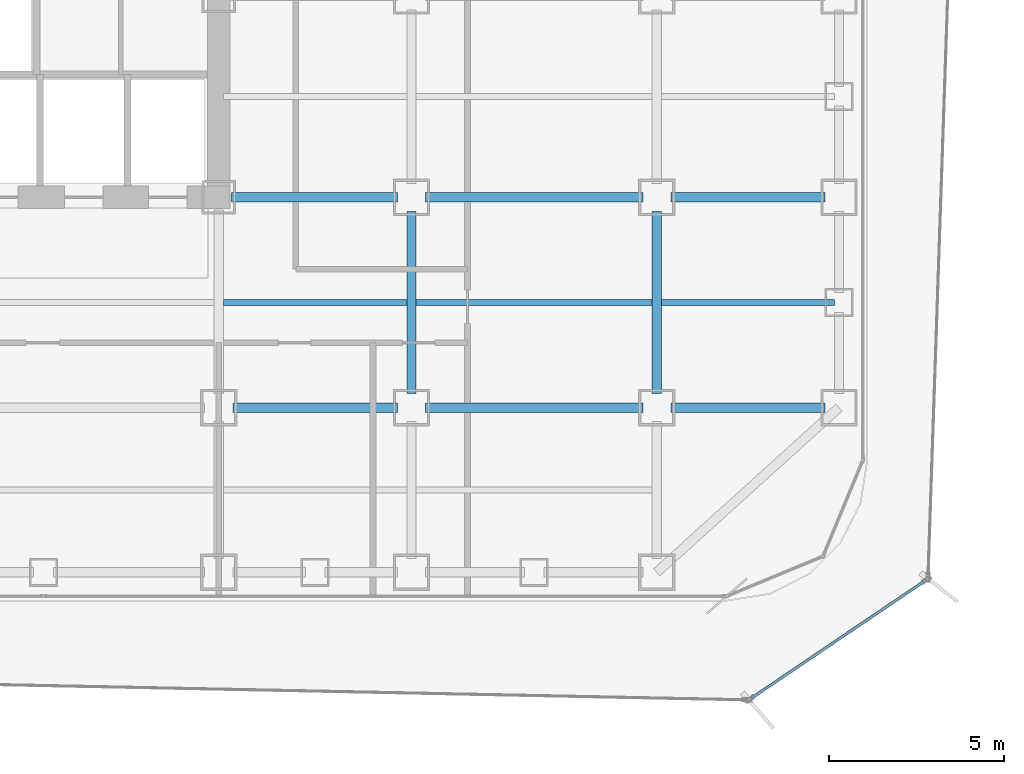
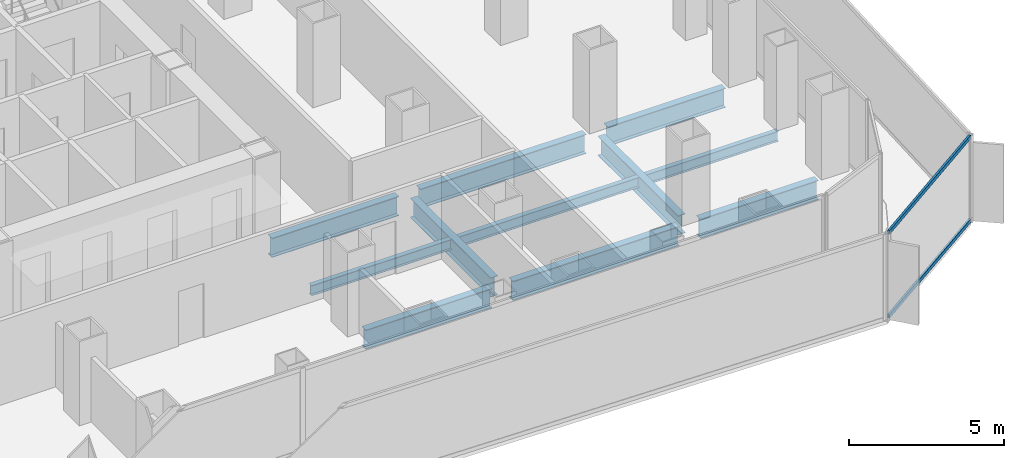
# One storey, part 7 of 21: 11 beams, 2 members, 1 element without a shape of its own.
"""IFC4 building model written with IfcOpenShell, lengths in metres."""

from ifc_helpers import new_model, si_unit, direction, frame, origin, origin_2d, place, context, subcontext, project, spatial, hollow_rectangle, i_section, extrude, source, transform, mapped, material, layer, layer_set, material_profile, profile_set, type_object, element, aggregate, save


model = new_model("IFC4")

# Units and contexts
model_context = context("Model", 3, precision=1e-05, world=origin(), true_north=direction((0.0, 1.0)))
body_context = subcontext(model_context, "Body", "Model", "MODEL_VIEW")
ifc_project = project(units=[si_unit("LENGTHUNIT", "METRE"), si_unit("AREAUNIT", "SQUARE_METRE"), si_unit("VOLUMEUNIT", "CUBIC_METRE"), si_unit("PLANEANGLEUNIT", "RADIAN"), si_unit("MASSUNIT", "GRAM", prefix="KILO")], contexts=[model_context])

# Site, building, storey
site_placement = place(None, origin())
site = spatial("IfcSite", under=ifc_project, at=site_placement, CompositionType="ELEMENT")
building_placement = place(site_placement, origin())
building = spatial("IfcBuilding", under=site, at=building_placement, Name="Kolveth Station Tower", CompositionType="ELEMENT")
storey_placement = place(building_placement, frame((0.0, 0.0, 29.699951171875)))
storey = spatial("IfcBuildingStorey", under=building, at=storey_placement, Name="L07", CompositionType="ELEMENT", Elevation=29.699951171875)

# Beams
ifc_material_1 = material(Name="Steel S355", Category="steel")
ifc_material_profile_1 = material_profile(ifc_material_1, i_section(OverallWidth=0.26708984375, OverallDepth=0.76611328125, WebThickness=0.014892578125, FlangeThickness=0.023681640625, at=origin_2d()), Name="W760x185")
ifc_profile_set_1 = profile_set([ifc_material_profile_1], Name="Steel S355")
beam_type_1 = type_object("IfcBeamType", Name="Beam_B3", PredefinedType="BEAM", material=ifc_profile_set_1)
shared_shape_1 = source(origin(), body_context, "Body", "SweptSolid", [
    extrude(i_section(OverallWidth=0.26708984375, OverallDepth=0.76611328125, WebThickness=0.014892578125, FlangeThickness=0.023681640625, at=origin_2d()), origin(), (0.0, 0.0, 1.0), 4.400146484375),
])
for number, where, z_axis, x_axis, name in (
    (1, (41.39990234375, 5.5, -0.662841796875), (1.0, 0.0, 0.0), (0.0, 1.0, 0.0), "L07 Primary Girder BM-L07-GY55-7"),
    (2, (41.39990234375, 11.5, -0.662841796875), (1.0, 0.0, 0.0), (0.0, 1.0, 0.0), "L07 Primary Girder BM-L07-GY115-7"),
):
    element("IfcBeam", number, at=place(storey_placement, frame(where, z_axis=z_axis, x_axis=x_axis)), inside=storey, type_object=beam_type_1, Name=name, PredefinedType="BEAM", context=body_context, shape_type="MappedRepresentation", body=[
        mapped(shared_shape_1, transform((0.0, 0.0, 0.0), x_axis=(1.0, 0.0, 0.0), y_axis=(0.0, 1.0, 0.0), z_axis=(0.0, 0.0, 1.0), scale=1.0)),
    ])
shared_shape_2 = source(origin(), body_context, "Body", "SweptSolid", [
    extrude(i_section(OverallWidth=0.26708984375, OverallDepth=0.76611328125, WebThickness=0.014892578125, FlangeThickness=0.023681640625, at=origin_2d()), origin(), (0.0, 0.0, 1.0), 6.2001953125),
])
for number, where, z_axis, x_axis, name in (
    (3, (34.39990234375, 5.5, -0.662841796875), (1.0, 0.0, 0.0), (0.0, 1.0, 0.0), "L07 Primary Girder BM-L07-GY55-6"),
    (4, (34.39990234375, 11.5, -0.662841796875), (1.0, 0.0, 0.0), (0.0, 1.0, 0.0), "L07 Primary Girder BM-L07-GY115-6"),
):
    element("IfcBeam", number, at=place(storey_placement, frame(where, z_axis=z_axis, x_axis=x_axis)), inside=storey, type_object=beam_type_1, Name=name, PredefinedType="BEAM", context=body_context, shape_type="MappedRepresentation", body=[
        mapped(shared_shape_2, transform((0.0, 0.0, 0.0), x_axis=(1.0, 0.0, 0.0), y_axis=(0.0, 1.0, 0.0), z_axis=(0.0, 0.0, 1.0), scale=1.0)),
    ])
shared_shape_3 = source(origin(), body_context, "Body", "SweptSolid", [
    extrude(i_section(OverallWidth=0.26708984375, OverallDepth=0.76611328125, WebThickness=0.014892578125, FlangeThickness=0.023681640625, at=origin_2d()), origin(), (0.0, 0.0, 1.0), 4.7001953125),
])
beam_1_placement = place(storey_placement, frame((28.89990234375, 5.5, -0.662841796875), z_axis=(1.0, 0.0, 0.0), x_axis=(0.0, 1.0, 0.0)))
element("IfcBeam", 5, at=beam_1_placement, inside=storey, type_object=beam_type_1, Name="L07 Primary Girder BM-L07-GY55-5", PredefinedType="BEAM", context=body_context, shape_type="MappedRepresentation", body=[
    mapped(shared_shape_3, transform((0.0, 0.0, 0.0), x_axis=(1.0, 0.0, 0.0), y_axis=(0.0, 1.0, 0.0), z_axis=(0.0, 0.0, 1.0), scale=1.0)),
])
shared_shape_4 = source(origin(), body_context, "Body", "SweptSolid", [
    extrude(i_section(OverallWidth=0.26708984375, OverallDepth=0.76611328125, WebThickness=0.014892578125, FlangeThickness=0.023681640625, at=origin_2d()), origin(), (0.0, 0.0, 1.0), 4.739990234375),
])
beam_2_placement = place(storey_placement, frame((28.860107421875, 11.5, -0.662841796875), z_axis=(1.0, 0.0, 0.0), x_axis=(0.0, 1.0, 0.0)))
element("IfcBeam", 6, at=beam_2_placement, inside=storey, type_object=beam_type_1, Name="L07 Primary Girder BM-L07-GY115-5", PredefinedType="BEAM", context=body_context, shape_type="MappedRepresentation", body=[
    mapped(shared_shape_4, transform((0.0, 0.0, 0.0), x_axis=(1.0, 0.0, 0.0), y_axis=(0.0, 1.0, 0.0), z_axis=(0.0, 0.0, 1.0), scale=1.0)),
])
shared_shape_5 = source(origin(), body_context, "Body", "SweptSolid", [
    extrude(i_section(OverallWidth=0.26708984375, OverallDepth=0.76611328125, WebThickness=0.014892578125, FlangeThickness=0.023681640625, at=origin_2d()), origin(), (0.0, 0.0, 1.0), 5.2001953125),
])
for number, where, z_axis, x_axis, name in (
    (7, (34.0, 5.89990234375, -0.662841796875), (0.0, 1.0, 0.0), (-1.0, 0.0, 0.0), "L07 Primary Girder BM-L07-GX340-2"),
    (8, (41.0, 5.89990234375, -0.662841796875), (0.0, 1.0, 0.0), (-1.0, 0.0, 0.0), "L07 Primary Girder BM-L07-GX410-2"),
):
    element("IfcBeam", number, at=place(storey_placement, frame(where, z_axis=z_axis, x_axis=x_axis)), inside=storey, type_object=beam_type_1, Name=name, PredefinedType="BEAM", context=body_context, shape_type="MappedRepresentation", body=[
        mapped(shared_shape_5, transform((0.0, 0.0, 0.0), x_axis=(1.0, 0.0, 0.0), y_axis=(0.0, 1.0, 0.0), z_axis=(0.0, 0.0, 1.0), scale=1.0)),
    ])
ifc_material_profile_2 = material_profile(ifc_material_1, i_section(OverallWidth=0.177978515625, OverallDepth=0.406982421875, WebThickness=0.0078125, FlangeThickness=0.0126953125, at=origin_2d()), Name="W410x60")
ifc_profile_set_2 = profile_set([ifc_material_profile_2], Name="Steel S355")
beam_type_2 = type_object("IfcBeamType", Name="Beam_J1", PredefinedType="JOIST", material=ifc_profile_set_2)
shared_shape_6 = source(origin(), body_context, "Body", "SweptSolid", [
    extrude(i_section(OverallWidth=0.177978515625, OverallDepth=0.406982421875, WebThickness=0.0078125, FlangeThickness=0.0126953125, at=origin_2d()), origin(), (0.0, 0.0, 1.0), 4.935791015625),
])
beam_3_placement = place(storey_placement, frame((41.131591796875, 8.5, -0.4833984375), z_axis=(1.0, 0.0, 0.0), x_axis=(0.0, 1.0, 0.0)))
element("IfcBeam", 9, at=beam_3_placement, inside=storey, type_object=beam_type_2, Name="L07 Secondary Joist JST-L07-7-2", PredefinedType="JOIST", context=body_context, shape_type="MappedRepresentation", body=[
    mapped(shared_shape_6, transform((0.0, 0.0, 0.0), x_axis=(1.0, 0.0, 0.0), y_axis=(0.0, 1.0, 0.0), z_axis=(0.0, 0.0, 1.0), scale=1.0)),
])
shared_shape_7 = source(origin(), body_context, "Body", "SweptSolid", [
    extrude(i_section(OverallWidth=0.177978515625, OverallDepth=0.406982421875, WebThickness=0.0078125, FlangeThickness=0.0126953125, at=origin_2d()), origin(), (0.0, 0.0, 1.0), 6.73681640625),
])
beam_4_placement = place(storey_placement, frame((34.131591796875, 8.5, -0.4833984375), z_axis=(1.0, 0.0, 0.0), x_axis=(0.0, 1.0, 0.0)))
element("IfcBeam", 10, at=beam_4_placement, inside=storey, type_object=beam_type_2, Name="L07 Secondary Joist JST-L07-6-2", PredefinedType="JOIST", context=body_context, shape_type="MappedRepresentation", body=[
    mapped(shared_shape_7, transform((0.0, 0.0, 0.0), x_axis=(1.0, 0.0, 0.0), y_axis=(0.0, 1.0, 0.0), z_axis=(0.0, 0.0, 1.0), scale=1.0)),
])
shared_shape_8 = source(origin(), body_context, "Body", "SweptSolid", [
    extrude(i_section(OverallWidth=0.177978515625, OverallDepth=0.406982421875, WebThickness=0.0078125, FlangeThickness=0.0126953125, at=origin_2d()), origin(), (0.0, 0.0, 1.0), 5.23681640625),
])
beam_5_placement = place(storey_placement, frame((28.631591796875, 8.5, -0.4833984375), z_axis=(1.0, 0.0, 0.0), x_axis=(0.0, 1.0, 0.0)))
element("IfcBeam", 11, at=beam_5_placement, inside=storey, type_object=beam_type_2, Name="L07 Secondary Joist JST-L07-5-2", PredefinedType="JOIST", context=body_context, shape_type="MappedRepresentation", body=[
    mapped(shared_shape_8, transform((0.0, 0.0, 0.0), x_axis=(1.0, 0.0, 0.0), y_axis=(0.0, 1.0, 0.0), z_axis=(0.0, 0.0, 1.0), scale=1.0)),
])

# Curtain wall, members
ifc_material_2 = material(Name="Black anodized aluminium 6063-T6 and dark solar glass", Category="aluminium")
ifc_layer = layer(ifc_material_2, 0.159912109375)
ifc_layer_set = layer_set([ifc_layer], Name="Black anodized aluminium 6063-T6 and dark solar glass")
curtain_wall_type = type_object("IfcCurtainWallType", Name="OUTER SKIN CW-OS", PredefinedType="NOTDEFINED", material=ifc_layer_set)
curtain_wall_placement = place(storey_placement, origin())
curtain_wall = element("IfcCurtainWall", 12, at=curtain_wall_placement, inside=storey, type_object=curtain_wall_type, Name="L07 Outer Ventilated Skin Curtain Wall 1", PredefinedType="NOTDEFINED")
ifc_material_3 = material(Name="Black anodized aluminium 6063-T6", Category="aluminium")
ifc_material_profile_3 = material_profile(ifc_material_3, hollow_rectangle(XDim=0.080078125, YDim=0.14990234375, WallThickness=0.0048828125, at=origin_2d()), Name="ALU-80x150x5")
ifc_profile_set_3 = profile_set([ifc_material_profile_3], Name="Black anodized aluminium 6063-T6")
member_type = type_object("IfcMemberType", Name="Transom_TR-OS", PredefinedType="USERDEFINED", material=ifc_profile_set_3)
shared_shape_9 = source(origin(), body_context, "Body", "SweptSolid", [
    extrude(hollow_rectangle(XDim=0.080078125, YDim=0.14990234375, WallThickness=0.0048828125, at=origin_2d()), origin(), (0.0, 0.0, 1.0), 5.99560546875),
])
member_1_placement = place(storey_placement, frame((43.699951171875, -2.794921875, 0.0400390625), z_axis=(0.828399005253, 0.560138454398, 0.0), x_axis=(-0.560138454398, 0.828399005253, 0.0)))
member_1 = element("IfcMember", 13, at=member_1_placement, type_object=member_type, Name="CW-OS transom 1.1", ObjectType="TRANSOM", PredefinedType="USERDEFINED", context=body_context, shape_type="MappedRepresentation", body=[
    mapped(shared_shape_9, transform((0.0, 0.0, 0.0), x_axis=(1.0, 0.0, 0.0), y_axis=(0.0, 1.0, 0.0), z_axis=(0.0, 0.0, 1.0), scale=1.0)),
])
member_2_placement = place(storey_placement, frame((43.699951171875, -2.794921875, 3.35009765625), z_axis=(0.828399005253, 0.560138454398, 0.0), x_axis=(-0.560138454398, 0.828399005253, 0.0)))
member_2 = element("IfcMember", 14, at=member_2_placement, type_object=member_type, Name="CW-OS transom 1.2", ObjectType="TRANSOM", PredefinedType="USERDEFINED", context=body_context, shape_type="MappedRepresentation", body=[
    mapped(shared_shape_9, transform((0.0, 0.0, 0.0), x_axis=(1.0, 0.0, 0.0), y_axis=(0.0, 1.0, 0.0), z_axis=(0.0, 0.0, 1.0), scale=1.0)),
])
aggregate(curtain_wall, [member_1, member_2])

save(model, "model.ifc")
